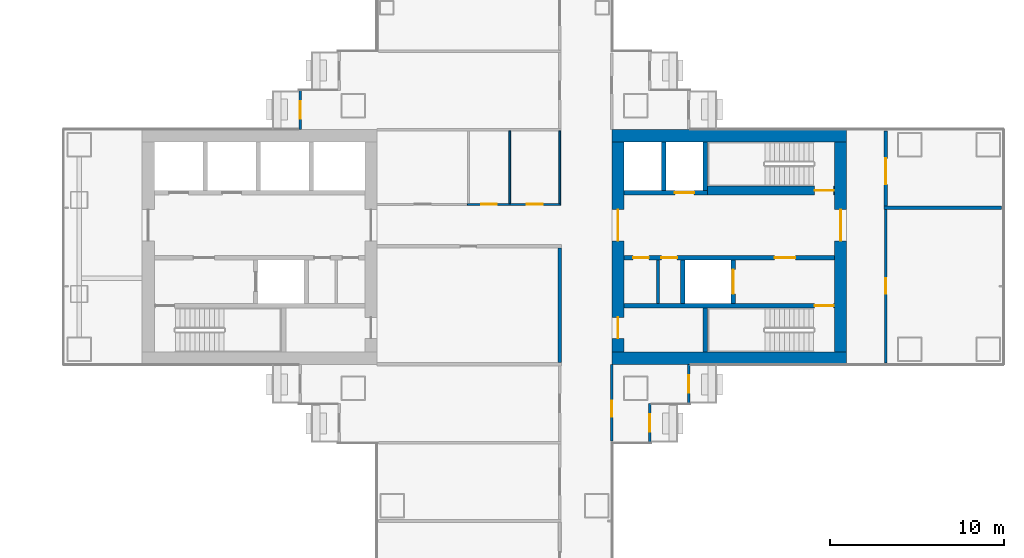
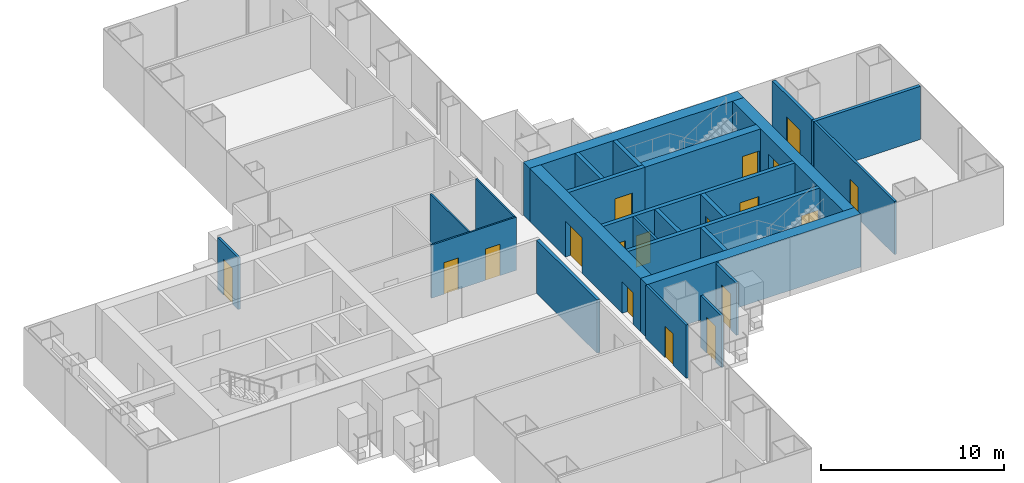
# One storey, part 16 of 21: 25 walls, 18 doors, 18 openings.
"""IFC4 building model written with IfcOpenShell, lengths in metres."""

from ifc_helpers import new_model, si_unit, direction, frame, frame_2d, origin, place, context, subcontext, project, spatial, rectangle, extrude, material, layer, layer_set, type_object, element, fill, save


model = new_model("IFC4")

# Units and contexts
model_context = context("Model", 3, precision=1e-05, world=origin(), true_north=direction((0.0, 1.0)))
body_context = subcontext(model_context, "Body", "Model", "MODEL_VIEW")
ifc_project = project(units=[si_unit("LENGTHUNIT", "METRE"), si_unit("AREAUNIT", "SQUARE_METRE"), si_unit("VOLUMEUNIT", "CUBIC_METRE"), si_unit("PLANEANGLEUNIT", "RADIAN"), si_unit("MASSUNIT", "GRAM", prefix="KILO")], contexts=[model_context])

# Site, building, storey
site_placement = place(None, origin())
site = spatial("IfcSite", under=ifc_project, at=site_placement, CompositionType="ELEMENT")
building_placement = place(site_placement, origin())
building = spatial("IfcBuilding", under=site, at=building_placement, Name="Shamsa Quay Exchange Towers", CompositionType="ELEMENT")
storey_placement = place(building_placement, frame((0.0, 0.0, 53.699951171875)))
storey = spatial("IfcBuildingStorey", under=building, at=storey_placement, Name="L11", CompositionType="ELEMENT", Elevation=53.699951171875)

# Wall, opening, door
ifc_material_1 = material(Name="Aluminium EN AW-6063 T6, black anodised, with black enamelled glass infill", Category="aluminium")
ifc_layer_1 = layer(ifc_material_1, 0.14990234375)
ifc_layer_set_1 = layer_set([ifc_layer_1], Name="BALCONY DOOR BAY WALL 150")
wall_type_1 = type_object("IfcWallType", Name="BALCONY DOOR BAY WALL 150", PredefinedType="SOLIDWALL", material=ifc_layer_set_1)
wall_1_placement = place(storey_placement, frame((22.574951171875, 6.742919921875, 0.0), z_axis=(0.0, 0.0, 1.0), x_axis=(0.0, 1.0, 0.0)))
wall_1 = element("IfcWall", 1, at=wall_1_placement, inside=storey, type_object=wall_type_1, Name="Door bay T2-PKEN L11", PredefinedType="SOLIDWALL", context=body_context, shape_type="SweptSolid", body=[
    extrude(rectangle(XDim=2.257080078125, YDim=0.14990234375, at=frame_2d((1.12841796875, 0.0))), origin(), (0.0, 0.0, 1.0), 3.449951171875),
])
opening_1_placement = place(wall_1_placement, frame((0.632080078125, 0.0, 0.0)))
opening_1 = element("IfcOpeningElement", 2, at=opening_1_placement, cuts=wall_1, Name="Opening XD066", PredefinedType="OPENING", context=body_context, shape_type="SweptSolid", body=[
    extrude(rectangle(XDim=1.0, YDim=2.39990234375, at=frame_2d((0.5, 1.199951171875))), frame((0.0, 0.0849609375, 0.0), z_axis=(0.0, -1.0, 0.0), x_axis=(1.0, 0.0, 0.0)), (0.0, 0.0, 1.0), 0.169921875),
])
ifc_material_2 = material(Name="Aluminium EN AW-6063 T6, black anodised, with laminated glass leaf", Category="aluminium")
door_type_1 = type_object("IfcDoorType", Name="BALCONY DOOR 1000x2400", OperationType="SINGLE_SWING_LEFT", PredefinedType="DOOR", material=ifc_material_2)
door_1_placement = place(opening_1_placement, origin())
door_1 = element("IfcDoor", 3, at=door_1_placement, inside=storey, type_object=door_type_1, Name="Balcony door T2-PKEN L11", OperationType="SINGLE_SWING_LEFT", OverallHeight=2.39990234375, OverallWidth=1.0, PredefinedType="DOOR", context=body_context, shape_type="SweptSolid", body=[
    extrude(rectangle(XDim=1.0, YDim=2.39990234375, at=frame_2d((0.5, 1.199951171875))), frame((0.0, 0.02490234375, 0.0), z_axis=(0.0, -1.0, 0.0), x_axis=(1.0, 0.0, 0.0)), (0.0, 0.0, 1.0), 0.050048828125),
])
fill(opening_1, door_1)

wall_2_placement = place(storey_placement, frame((42.675048828125, -9.0, 0.0), z_axis=(0.0, 0.0, 1.0), x_axis=(0.0, -1.0, 0.0)))
wall_2 = element("IfcWall", 4, at=wall_2_placement, inside=storey, type_object=wall_type_1, Name="Door bay T2-PKWS L11", PredefinedType="SOLIDWALL", context=body_context, shape_type="SweptSolid", body=[
    extrude(rectangle(XDim=2.25, YDim=0.14990234375, at=frame_2d((1.125, 0.0))), origin(), (0.0, 0.0, 1.0), 3.449951171875),
])
opening_2_placement = place(wall_2_placement, frame((0.625, 0.0, 0.0)))
opening_2 = element("IfcOpeningElement", 5, at=opening_2_placement, cuts=wall_2, Name="Opening XD071", PredefinedType="OPENING", context=body_context, shape_type="SweptSolid", body=[
    extrude(rectangle(XDim=1.0, YDim=2.39990234375, at=frame_2d((0.5, 1.199951171875))), frame((0.0, 0.0849609375, 0.0), z_axis=(0.0, -1.0, 0.0), x_axis=(1.0, 0.0, 0.0)), (0.0, 0.0, 1.0), 0.169921875),
])
door_2_placement = place(opening_2_placement, origin())
door_2 = element("IfcDoor", 6, at=door_2_placement, inside=storey, type_object=door_type_1, Name="Balcony door T2-PKWS L11", OperationType="SINGLE_SWING_LEFT", OverallHeight=2.39990234375, OverallWidth=1.0, PredefinedType="DOOR", context=body_context, shape_type="SweptSolid", body=[
    extrude(rectangle(XDim=1.0, YDim=2.39990234375, at=frame_2d((0.5, 1.199951171875))), frame((0.0, 0.02490234375, 0.0), z_axis=(0.0, -1.0, 0.0), x_axis=(1.0, 0.0, 0.0)), (0.0, 0.0, 1.0), 0.050048828125),
])
fill(opening_2, door_2)

wall_3_placement = place(storey_placement, frame((44.925048828125, -6.742919921875, 0.0), z_axis=(0.0, 0.0, 1.0), x_axis=(0.0, -1.0, 0.0)))
wall_3 = element("IfcWall", 7, at=wall_3_placement, inside=storey, type_object=wall_type_1, Name="Door bay T2-PKWS L11", PredefinedType="SOLIDWALL", context=body_context, shape_type="SweptSolid", body=[
    extrude(rectangle(XDim=2.257080078125, YDim=0.14990234375, at=frame_2d((1.12841796875, 0.0))), origin(), (0.0, 0.0, 1.0), 3.449951171875),
])
opening_3_placement = place(wall_3_placement, frame((0.632080078125, 0.0, 0.0)))
opening_3 = element("IfcOpeningElement", 8, at=opening_3_placement, cuts=wall_3, Name="Opening XD072", PredefinedType="OPENING", context=body_context, shape_type="SweptSolid", body=[
    extrude(rectangle(XDim=1.0, YDim=2.39990234375, at=frame_2d((0.5, 1.199951171875))), frame((0.0, 0.0849609375, 0.0), z_axis=(0.0, -1.0, 0.0), x_axis=(1.0, 0.0, 0.0)), (0.0, 0.0, 1.0), 0.169921875),
])
door_3_placement = place(opening_3_placement, origin())
door_3 = element("IfcDoor", 9, at=door_3_placement, inside=storey, type_object=door_type_1, Name="Balcony door T2-PKWS L11", OperationType="SINGLE_SWING_RIGHT", OverallHeight=2.39990234375, OverallWidth=1.0, PredefinedType="DOOR", context=body_context, shape_type="SweptSolid", body=[
    extrude(rectangle(XDim=1.0, YDim=2.39990234375, at=frame_2d((0.5, 1.199951171875))), frame((0.0, 0.02490234375, 0.0), z_axis=(0.0, -1.0, 0.0), x_axis=(1.0, 0.0, 0.0)), (0.0, 0.0, 1.0), 0.050048828125),
])
fill(opening_3, door_3)

# Walls
ifc_material_3 = material(Name="Concrete C80/95", Category="concrete")
ifc_layer_2 = layer(ifc_material_3, 0.699951171875)
ifc_layer_set_2 = layer_set([ifc_layer_2], Name="CORE WALL 700 C80/95")
wall_type_2 = type_object("IfcWallType", Name="CORE WALL 700 C80/95", PredefinedType="SHEAR", material=ifc_layer_set_2)
for number, where, z_axis, x_axis, name in (
    (10, (54.0, -6.39990234375, 0.0), (0.0, 0.0, 1.0), (-1.0, 0.0, 0.0), "Core wall T2B-R04-PS"),
    (11, (54.0, 6.39990234375, 0.0), (0.0, 0.0, 1.0), (-1.0, 0.0, 0.0), "Core wall T2B-R04-PN"),
):
    element("IfcWall", number, at=place(storey_placement, frame(where, z_axis=z_axis, x_axis=x_axis)), inside=storey, type_object=wall_type_2, Name=name, PredefinedType="SHEAR", context=body_context, shape_type="SweptSolid", body=[
        extrude(rectangle(XDim=13.5, YDim=0.699951171875, at=frame_2d((6.75, 0.0))), origin(), (0.0, 0.0, 1.0), 3.550048828125),
    ])

# Wall, opening, door
wall_4_placement = place(storey_placement, frame((53.64990234375, -6.050048828125, 0.0), z_axis=(0.0, 0.0, 1.0), x_axis=(0.0, 1.0, 0.0)))
wall_4 = element("IfcWall", 12, at=wall_4_placement, inside=storey, type_object=wall_type_2, Name="Core wall T2B-R04-PF", PredefinedType="SHEAR", context=body_context, shape_type="SweptSolid", body=[
    extrude(rectangle(XDim=12.10009765625, YDim=0.699951171875, at=frame_2d((6.050048828125, 0.0))), origin(), (0.0, 0.0, 1.0), 3.550048828125),
])
opening_4_placement = place(wall_4_placement, frame((6.39990234375, 0.0, 0.0)))
opening_4 = element("IfcOpeningElement", 13, at=opening_4_placement, cuts=wall_4, Name="Opening T2B-R04-LBD01", PredefinedType="OPENING", context=body_context, shape_type="SweptSolid", body=[
    extrude(rectangle(XDim=1.800048828125, YDim=2.39990234375, at=frame_2d((0.89990234375, 1.199951171875))), frame((0.0, 0.35986328125, 0.0), z_axis=(0.0, -1.0, 0.0), x_axis=(1.0, 0.0, 0.0)), (0.0, 0.0, 1.0), 0.719970703125),
])
ifc_material_4 = material(Name="Steel, fire rated", Category="steel")
door_type_2 = type_object("IfcDoorType", Name="LIFT LOBBY DOOR PAIR 1800", OperationType="DOUBLE_DOOR_SINGLE_SWING", PredefinedType="DOOR", material=ifc_material_4)
door_4_placement = place(opening_4_placement, origin())
door_4 = element("IfcDoor", 14, at=door_4_placement, inside=storey, type_object=door_type_2, Name="T2B-R04-LBD01", OperationType="DOUBLE_DOOR_SINGLE_SWING", OverallHeight=2.39990234375, OverallWidth=1.800048828125, PredefinedType="DOOR", context=body_context, shape_type="SweptSolid", body=[
    extrude(rectangle(XDim=1.800048828125, YDim=2.39990234375, at=frame_2d((0.89990234375, 1.199951171875))), frame((0.0, 0.02490234375, 0.0), z_axis=(0.0, -1.0, 0.0), x_axis=(1.0, 0.0, 0.0)), (0.0, 0.0, 1.0), 0.050048828125),
])
fill(opening_4, door_4)

# Wall, openings, doors
wall_5_placement = place(storey_placement, frame((40.85009765625, -6.050048828125, 0.0), z_axis=(0.0, 0.0, 1.0), x_axis=(0.0, 1.0, 0.0)))
wall_5 = element("IfcWall", 15, at=wall_5_placement, inside=storey, type_object=wall_type_2, Name="Core wall T2B-R04-PB", PredefinedType="SHEAR", context=body_context, shape_type="SweptSolid", body=[
    extrude(rectangle(XDim=12.10009765625, YDim=0.699951171875, at=frame_2d((6.050048828125, 0.0))), origin(), (0.0, 0.0, 1.0), 3.550048828125),
])
opening_5_placement = place(wall_5_placement, frame((0.800048828125, 0.0, 0.0)))
opening_5 = element("IfcOpeningElement", 16, at=opening_5_placement, cuts=wall_5, Name="Opening T2B-R04-RD02", PredefinedType="OPENING", context=body_context, shape_type="SweptSolid", body=[
    extrude(rectangle(XDim=1.199951171875, YDim=2.10009765625, at=frame_2d((0.60009765625, 1.050048828125))), frame((0.0, 0.35986328125, 0.0), z_axis=(0.0, -1.0, 0.0), x_axis=(1.0, 0.0, 0.0)), (0.0, 0.0, 1.0), 0.719970703125),
])
opening_6_placement = place(wall_5_placement, frame((6.39990234375, 0.0, 0.0)))
opening_6 = element("IfcOpeningElement", 17, at=opening_6_placement, cuts=wall_5, Name="Opening T2B-R04-LBD03", PredefinedType="OPENING", context=body_context, shape_type="SweptSolid", body=[
    extrude(rectangle(XDim=1.800048828125, YDim=2.39990234375, at=frame_2d((0.89990234375, 1.199951171875))), frame((0.0, 0.35986328125, 0.0), z_axis=(0.0, -1.0, 0.0), x_axis=(1.0, 0.0, 0.0)), (0.0, 0.0, 1.0), 0.719970703125),
])
door_5_placement = place(opening_6_placement, origin())
door_5 = element("IfcDoor", 18, at=door_5_placement, inside=storey, type_object=door_type_2, Name="T2B-R04-LBD03", OperationType="DOUBLE_DOOR_SINGLE_SWING", OverallHeight=2.39990234375, OverallWidth=1.800048828125, PredefinedType="DOOR", context=body_context, shape_type="SweptSolid", body=[
    extrude(rectangle(XDim=1.800048828125, YDim=2.39990234375, at=frame_2d((0.89990234375, 1.199951171875))), frame((0.0, 0.02490234375, 0.0), z_axis=(0.0, -1.0, 0.0), x_axis=(1.0, 0.0, 0.0)), (0.0, 0.0, 1.0), 0.050048828125),
])
fill(opening_6, door_5)
door_type_3 = type_object("IfcDoorType", Name="RISER ACCESS DOOR 1200", OperationType="SINGLE_SWING_LEFT", PredefinedType="DOOR", material=ifc_material_4)
door_6_placement = place(opening_5_placement, origin())
door_6 = element("IfcDoor", 19, at=door_6_placement, inside=storey, type_object=door_type_3, Name="T2B-R04-RD02", OperationType="SINGLE_SWING_LEFT", OverallHeight=2.10009765625, OverallWidth=1.199951171875, PredefinedType="DOOR", context=body_context, shape_type="SweptSolid", body=[
    extrude(rectangle(XDim=1.199951171875, YDim=2.10009765625, at=frame_2d((0.60009765625, 1.050048828125))), frame((0.0, 0.02490234375, 0.0), z_axis=(0.0, -1.0, 0.0), x_axis=(1.0, 0.0, 0.0)), (0.0, 0.0, 1.0), 0.050048828125),
])
fill(opening_5, door_6)

# Walls
ifc_material_5 = material(Name="Gypsum board on steel studs, EI 60", Category="steel")
ifc_layer_3 = layer(ifc_material_5, 0.14990234375)
ifc_layer_set_3 = layer_set([ifc_layer_3], Name="FIRE PARTITION 150")
wall_type_3 = type_object("IfcWallType", Name="FIRE PARTITION 150", PredefinedType="PARTITIONING", material=ifc_layer_set_3)
wall_6_placement = place(storey_placement, frame((43.14990234375, -3.25, 0.0), z_axis=(0.0, 0.0, 1.0), x_axis=(0.0, 1.0, 0.0)))
element("IfcWall", 20, at=wall_6_placement, inside=storey, type_object=wall_type_3, Name="Partition T2B-R04-EC0", PredefinedType="PARTITIONING", context=body_context, shape_type="SweptSolid", body=[
    extrude(rectangle(XDim=2.5, YDim=0.14990234375, at=frame_2d((1.25, 0.0))), origin(), (0.0, 0.0, 1.0), 3.550048828125),
])
ifc_material_6 = material(Name="Gypsum board partition on metal studs")
ifc_layer_4 = layer(ifc_material_6, 0.10009765625)
ifc_layer_set_4 = layer_set([ifc_layer_4], Name="Partition 100 mm NOT RATED")
wall_type_4 = type_object("IfcWallType", Name="Partition 100 mm NOT RATED", PredefinedType="PARTITIONING", material=ifc_layer_set_4)
wall_7_placement = place(storey_placement, frame((37.5, 2.500244140625, 0.0), z_axis=(0.0, 0.0, 1.0), x_axis=(0.0, 1.0, 0.0)))
element("IfcWall", 21, at=wall_7_placement, inside=storey, type_object=wall_type_4, Name="Partition T2-R04-W08", PredefinedType="PARTITIONING", context=body_context, shape_type="SweptSolid", body=[
    extrude(rectangle(XDim=4.1748046875, YDim=0.10009765625, at=frame_2d((2.08740234375, 0.0))), origin(), (0.0, 0.0, 1.0), 3.550048828125),
])

# Wall, openings, doors
wall_8_placement = place(storey_placement, frame((32.1875, 2.4501953125, 0.0)))
wall_8 = element("IfcWall", 22, at=wall_8_placement, inside=storey, type_object=wall_type_4, Name="Partition T2-R04-W09", PredefinedType="PARTITIONING", context=body_context, shape_type="SweptSolid", body=[
    extrude(rectangle(XDim=5.362548828125, YDim=0.10009765625, at=frame_2d((2.68115234375, 0.0))), origin(), (0.0, 0.0, 1.0), 3.550048828125),
])
opening_7_placement = place(wall_8_placement, frame((3.425048828125, 0.0, 0.0)))
opening_7 = element("IfcOpeningElement", 23, at=opening_7_placement, cuts=wall_8, Name="Opening T2-R04-D09", PredefinedType="OPENING", context=body_context, shape_type="SweptSolid", body=[
    extrude(rectangle(XDim=0.89990234375, YDim=2.10009765625, at=frame_2d((0.449951171875, 1.050048828125))), frame((0.0, 0.06005859375, 0.0), z_axis=(0.0, -1.0, 0.0), x_axis=(1.0, 0.0, 0.0)), (0.0, 0.0, 1.0), 0.1201171875),
])
opening_8_placement = place(wall_8_placement, frame((0.800048828125, 0.0, 0.0)))
opening_8 = element("IfcOpeningElement", 24, at=opening_8_placement, cuts=wall_8, Name="Opening T2-R04-D10", PredefinedType="OPENING", context=body_context, shape_type="SweptSolid", body=[
    extrude(rectangle(XDim=0.89990234375, YDim=2.10009765625, at=frame_2d((0.449951171875, 1.050048828125))), frame((0.0, 0.06005859375, 0.0), z_axis=(0.0, -1.0, 0.0), x_axis=(1.0, 0.0, 0.0)), (0.0, 0.0, 1.0), 0.1201171875),
])
ifc_material_7 = material(Name="Timber door leaf in a metal frame", Category="wood")
door_type_4 = type_object("IfcDoorType", Name="Door 900x2100 NOT RATED", OperationType="NOTDEFINED", PredefinedType="DOOR", material=ifc_material_7)
door_7_placement = place(opening_7_placement, origin())
door_7 = element("IfcDoor", 25, at=door_7_placement, inside=storey, type_object=door_type_4, Name="Door T2-R04-D09", OperationType="SINGLE_SWING_RIGHT", OverallHeight=2.10009765625, OverallWidth=0.89990234375, PredefinedType="DOOR", context=body_context, shape_type="SweptSolid", body=[
    extrude(rectangle(XDim=0.89990234375, YDim=2.10009765625, at=frame_2d((0.449951171875, 1.050048828125))), frame((0.0, 0.02490234375, 0.0), z_axis=(0.0, -1.0, 0.0), x_axis=(1.0, 0.0, 0.0)), (0.0, 0.0, 1.0), 0.050048828125),
])
fill(opening_7, door_7)
door_8_placement = place(opening_8_placement, origin())
door_8 = element("IfcDoor", 26, at=door_8_placement, inside=storey, type_object=door_type_4, Name="Door T2-R04-D10", OperationType="SINGLE_SWING_RIGHT", OverallHeight=2.10009765625, OverallWidth=0.89990234375, PredefinedType="DOOR", context=body_context, shape_type="SweptSolid", body=[
    extrude(rectangle(XDim=0.89990234375, YDim=2.10009765625, at=frame_2d((0.449951171875, 1.050048828125))), frame((0.0, 0.02490234375, 0.0), z_axis=(0.0, -1.0, 0.0), x_axis=(1.0, 0.0, 0.0)), (0.0, 0.0, 1.0), 0.050048828125),
])
fill(opening_8, door_8)

# Wall
wall_9_placement = place(storey_placement, frame((34.625, 6.675048828125, 0.0), z_axis=(0.0, 0.0, 1.0), x_axis=(0.0, -1.0, 0.0)))
element("IfcWall", 27, at=wall_9_placement, inside=storey, type_object=wall_type_4, Name="Partition T2-R04-W21", PredefinedType="PARTITIONING", context=body_context, shape_type="SweptSolid", body=[
    extrude(rectangle(XDim=4.1748046875, YDim=0.10009765625, at=frame_2d((2.08740234375, 0.0))), origin(), (0.0, 0.0, 1.0), 3.550048828125),
])

# Wall, opening, door
ifc_layer_5 = layer(ifc_material_6, 0.14990234375)
ifc_layer_set_5 = layer_set([ifc_layer_5], Name="Partition 150 mm EI 60")
wall_type_5 = type_object("IfcWallType", Name="Partition 150 mm EI 60", PredefinedType="PARTITIONING", material=ifc_layer_set_5)
wall_10_placement = place(storey_placement, frame((40.5, -6.75, 0.0), z_axis=(0.0, 0.0, 1.0), x_axis=(0.0, -1.0, 0.0)))
wall_10 = element("IfcWall", 28, at=wall_10_placement, inside=storey, type_object=wall_type_5, Name="Partition T2-R04-W13", PredefinedType="PARTITIONING", context=body_context, shape_type="SweptSolid", body=[
    extrude(rectangle(XDim=4.405029296875, YDim=0.14990234375, at=frame_2d((2.20263671875, 0.0))), origin(), (0.0, 0.0, 1.0), 3.550048828125),
])
opening_9_placement = place(wall_10_placement, frame((2.10009765625, 0.0, 0.0)))
opening_9 = element("IfcOpeningElement", 29, at=opening_9_placement, cuts=wall_10, Name="Opening T2-R04-D03", PredefinedType="OPENING", context=body_context, shape_type="SweptSolid", body=[
    extrude(rectangle(XDim=0.89990234375, YDim=2.10009765625, at=frame_2d((0.449951171875, 1.050048828125))), frame((0.0, 0.0849609375, 0.0), z_axis=(0.0, -1.0, 0.0), x_axis=(1.0, 0.0, 0.0)), (0.0, 0.0, 1.0), 0.169921875),
])
door_type_5 = type_object("IfcDoorType", Name="Door 900x2100 FD30S", OperationType="NOTDEFINED", PredefinedType="DOOR", material=ifc_material_7)
door_9_placement = place(opening_9_placement, origin())
door_9 = element("IfcDoor", 30, at=door_9_placement, inside=storey, type_object=door_type_5, Name="Door T2-R04-D03", OperationType="SINGLE_SWING_RIGHT", OverallHeight=2.10009765625, OverallWidth=0.89990234375, PredefinedType="DOOR", context=body_context, shape_type="SweptSolid", body=[
    extrude(rectangle(XDim=0.89990234375, YDim=2.10009765625, at=frame_2d((0.449951171875, 1.050048828125))), frame((0.0, 0.02490234375, 0.0), z_axis=(0.0, -1.0, 0.0), x_axis=(1.0, 0.0, 0.0)), (0.0, 0.0, 1.0), 0.050048828125),
])
fill(opening_9, door_9)

wall_11_placement = place(storey_placement, frame((56.25, 2.14990234375, 0.0), z_axis=(0.0, 0.0, 1.0), x_axis=(0.0, -1.0, 0.0)))
wall_11 = element("IfcWall", 31, at=wall_11_placement, inside=storey, type_object=wall_type_5, Name="Partition T2-R04-W15", PredefinedType="PARTITIONING", context=body_context, shape_type="SweptSolid", body=[
    extrude(rectangle(XDim=8.804931640625, YDim=0.14990234375, at=frame_2d((4.40234375, 0.0))), origin(), (0.0, 0.0, 1.0), 3.550048828125),
])
opening_10_placement = place(wall_11_placement, frame((3.949951171875, 0.0, 0.0)))
opening_10 = element("IfcOpeningElement", 32, at=opening_10_placement, cuts=wall_11, Name="Opening T2-R04-D01", PredefinedType="OPENING", context=body_context, shape_type="SweptSolid", body=[
    extrude(rectangle(XDim=0.89990234375, YDim=2.10009765625, at=frame_2d((0.449951171875, 1.050048828125))), frame((0.0, 0.0849609375, 0.0), z_axis=(0.0, -1.0, 0.0), x_axis=(1.0, 0.0, 0.0)), (0.0, 0.0, 1.0), 0.169921875),
])
door_10_placement = place(opening_10_placement, origin())
door_10 = element("IfcDoor", 33, at=door_10_placement, inside=storey, type_object=door_type_5, Name="Door T2-R04-D01", OperationType="SINGLE_SWING_LEFT", OverallHeight=2.10009765625, OverallWidth=0.89990234375, PredefinedType="DOOR", context=body_context, shape_type="SweptSolid", body=[
    extrude(rectangle(XDim=0.89990234375, YDim=2.10009765625, at=frame_2d((0.449951171875, 1.050048828125))), frame((0.0, 0.02490234375, 0.0), z_axis=(0.0, -1.0, 0.0), x_axis=(1.0, 0.0, 0.0)), (0.0, 0.0, 1.0), 0.050048828125),
])
fill(opening_10, door_10)

# Wall
ifc_layer_6 = layer(ifc_material_6, 0.199951171875)
ifc_layer_set_6 = layer_set([ifc_layer_6], Name="Partition 200 mm EI 120")
wall_type_6 = type_object("IfcWallType", Name="Partition 200 mm EI 120", PredefinedType="PARTITIONING", material=ifc_layer_set_6)
wall_12_placement = place(storey_placement, frame((37.5, -6.64990234375, 0.0), z_axis=(0.0, 0.0, 1.0), x_axis=(0.0, 1.0, 0.0)))
element("IfcWall", 34, at=wall_12_placement, inside=storey, type_object=wall_type_6, Name="Partition T2-R04-W12", PredefinedType="PARTITIONING", context=body_context, shape_type="SweptSolid", body=[
    extrude(rectangle(XDim=6.599609375, YDim=0.199951171875, at=frame_2d((3.2998046875, 0.0))), origin(), (0.0, 0.0, 1.0), 3.550048828125),
])

# Wall, opening, door
ifc_layer_7 = layer(ifc_material_6, 0.199951171875)
ifc_layer_set_7 = layer_set([ifc_layer_7], Name="Partition 200 mm EI 90")
wall_type_7 = type_object("IfcWallType", Name="Partition 200 mm EI 90", PredefinedType="PARTITIONING", material=ifc_layer_set_7)
wall_13_placement = place(storey_placement, frame((56.25, 6.655029296875, 0.0), z_axis=(0.0, 0.0, 1.0), x_axis=(0.0, -1.0, 0.0)))
wall_13 = element("IfcWall", 35, at=wall_13_placement, inside=storey, type_object=wall_type_7, Name="Partition T2-R04-W16", PredefinedType="PARTITIONING", context=body_context, shape_type="SweptSolid", body=[
    extrude(rectangle(XDim=4.304931640625, YDim=0.199951171875, at=frame_2d((2.15234375, 0.0))), origin(), (0.0, 0.0, 1.0), 3.550048828125),
])
opening_11_placement = place(wall_13_placement, frame((1.554931640625, 0.0, 0.0)))
opening_11 = element("IfcOpeningElement", 36, at=opening_11_placement, cuts=wall_13, Name="Opening T2-R04-D02", PredefinedType="OPENING", context=body_context, shape_type="SweptSolid", body=[
    extrude(rectangle(XDim=1.5, YDim=2.10009765625, at=frame_2d((0.75, 1.050048828125))), frame((0.0, 0.10986328125, 0.0), z_axis=(0.0, -1.0, 0.0), x_axis=(1.0, 0.0, 0.0)), (0.0, 0.0, 1.0), 0.219970703125),
])
door_type_6 = type_object("IfcDoorType", Name="Door 1500x2100 FD30S pair", OperationType="NOTDEFINED", PredefinedType="DOOR", material=ifc_material_7)
door_11_placement = place(opening_11_placement, origin())
door_11 = element("IfcDoor", 37, at=door_11_placement, inside=storey, type_object=door_type_6, Name="Door T2-R04-D02", OperationType="DOUBLE_DOOR_SINGLE_SWING", OverallHeight=2.10009765625, OverallWidth=1.5, PredefinedType="DOOR", context=body_context, shape_type="SweptSolid", body=[
    extrude(rectangle(XDim=1.5, YDim=2.10009765625, at=frame_2d((0.75, 1.050048828125))), frame((0.0, 0.02490234375, 0.0), z_axis=(0.0, -1.0, 0.0), x_axis=(1.0, 0.0, 0.0)), (0.0, 0.0, 1.0), 0.050048828125),
])
fill(opening_11, door_11)

# Wall
wall_14_placement = place(storey_placement, frame((62.905029296875, 2.25, 0.0), z_axis=(0.0, 0.0, 1.0), x_axis=(-1.0, 0.0, 0.0)))
element("IfcWall", 38, at=wall_14_placement, inside=storey, type_object=wall_type_7, Name="Partition T2-R04-W27", PredefinedType="PARTITIONING", context=body_context, shape_type="SweptSolid", body=[
    extrude(rectangle(XDim=6.755126953125, YDim=0.199951171875, at=frame_2d((3.37744140625, 0.0))), origin(), (0.0, 0.0, 1.0), 3.550048828125),
])

# Wall, opening, door
ifc_material_8 = material(Name="Concrete C50/60", Category="concrete")
ifc_layer_8 = layer(ifc_material_8, 0.25)
ifc_layer_set_8 = layer_set([ifc_layer_8], Name="SHAFT WALL 250 C50/60")
wall_type_8 = type_object("IfcWallType", Name="SHAFT WALL 250 C50/60", PredefinedType="SHEAR", material=ifc_layer_set_8)
wall_15_placement = place(storey_placement, frame((53.300048828125, -3.375, 0.0), z_axis=(0.0, 0.0, 1.0), x_axis=(-1.0, 0.0, 0.0)))
wall_15 = element("IfcWall", 39, at=wall_15_placement, inside=storey, type_object=wall_type_8, Name="Shaft wall T2B-R04-STL", PredefinedType="SHEAR", context=body_context, shape_type="SweptSolid", body=[
    extrude(rectangle(XDim=12.10009765625, YDim=0.25, at=frame_2d((6.050048828125, 0.0))), origin(), (0.0, 0.0, 1.0), 3.550048828125),
])
opening_12_placement = place(wall_15_placement, frame((0.050048828125, 0.0, 0.0)))
opening_12 = element("IfcOpeningElement", 40, at=opening_12_placement, cuts=wall_15, Name="Opening T2B-R04-SD04", PredefinedType="OPENING", context=body_context, shape_type="SweptSolid", body=[
    extrude(rectangle(XDim=1.10009765625, YDim=2.10009765625, at=frame_2d((0.550048828125, 1.050048828125))), frame((0.0, 0.135009765625, 0.0), z_axis=(0.0, -1.0, 0.0), x_axis=(1.0, 0.0, 0.0)), (0.0, 0.0, 1.0), 0.27001953125),
])
door_type_7 = type_object("IfcDoorType", Name="STAIR DOOR 1100", OperationType="SINGLE_SWING_LEFT", PredefinedType="DOOR", material=ifc_material_4)
door_12_placement = place(opening_12_placement, origin())
door_12 = element("IfcDoor", 41, at=door_12_placement, inside=storey, type_object=door_type_7, Name="T2B-R04-SD04", OperationType="SINGLE_SWING_LEFT", OverallHeight=2.10009765625, OverallWidth=1.10009765625, PredefinedType="DOOR", context=body_context, shape_type="SweptSolid", body=[
    extrude(rectangle(XDim=1.10009765625, YDim=2.10009765625, at=frame_2d((0.550048828125, 1.050048828125))), frame((0.0, 0.02490234375, 0.0), z_axis=(0.0, -1.0, 0.0), x_axis=(1.0, 0.0, 0.0)), (0.0, 0.0, 1.0), 0.050048828125),
])
fill(opening_12, door_12)

# Wall
wall_16_placement = place(storey_placement, frame((45.875, -6.050048828125, 0.0), z_axis=(0.0, 0.0, 1.0), x_axis=(0.0, 1.0, 0.0)))
element("IfcWall", 42, at=wall_16_placement, inside=storey, type_object=wall_type_8, Name="Shaft wall T2B-R04-STF", PredefinedType="SHEAR", context=body_context, shape_type="SweptSolid", body=[
    extrude(rectangle(XDim=2.550048828125, YDim=0.25, at=frame_2d((1.27490234375, 0.0))), origin(), (0.0, 0.0, 1.0), 3.550048828125),
])

# Wall, openings, doors
wall_17_placement = place(storey_placement, frame((53.300048828125, -0.625, 0.0), z_axis=(0.0, 0.0, 1.0), x_axis=(-1.0, 0.0, 0.0)))
wall_17 = element("IfcWall", 43, at=wall_17_placement, inside=storey, type_object=wall_type_8, Name="Shaft wall T2B-R04-B", PredefinedType="SHEAR", context=body_context, shape_type="SweptSolid", body=[
    extrude(rectangle(XDim=12.10009765625, YDim=0.25, at=frame_2d((6.050048828125, 0.0))), origin(), (0.0, 0.0, 1.0), 3.550048828125),
])
opening_13_placement = place(wall_17_placement, frame((2.25, 0.0, 0.0)))
opening_13 = element("IfcOpeningElement", 44, at=opening_13_placement, cuts=wall_17, Name="Opening T2B-R04-FD05", PredefinedType="OPENING", context=body_context, shape_type="SweptSolid", body=[
    extrude(rectangle(XDim=1.199951171875, YDim=2.10009765625, at=frame_2d((0.60009765625, 1.050048828125))), frame((0.0, 0.135009765625, 0.0), z_axis=(0.0, -1.0, 0.0), x_axis=(1.0, 0.0, 0.0)), (0.0, 0.0, 1.0), 0.27001953125),
])
opening_14_placement = place(wall_17_placement, frame((9.050048828125, 0.0, 0.0)))
opening_14 = element("IfcOpeningElement", 45, at=opening_14_placement, cuts=wall_17, Name="Opening T2B-R04-SV06", PredefinedType="OPENING", context=body_context, shape_type="SweptSolid", body=[
    extrude(rectangle(XDim=0.89990234375, YDim=2.10009765625, at=frame_2d((0.449951171875, 1.050048828125))), frame((0.0, 0.135009765625, 0.0), z_axis=(0.0, -1.0, 0.0), x_axis=(1.0, 0.0, 0.0)), (0.0, 0.0, 1.0), 0.27001953125),
])
opening_15_placement = place(wall_17_placement, frame((10.675048828125, 0.0, 0.0)))
opening_15 = element("IfcOpeningElement", 46, at=opening_15_placement, cuts=wall_17, Name="Opening T2B-R04-SV07", PredefinedType="OPENING", context=body_context, shape_type="SweptSolid", body=[
    extrude(rectangle(XDim=0.89990234375, YDim=2.10009765625, at=frame_2d((0.449951171875, 1.050048828125))), frame((0.0, 0.135009765625, 0.0), z_axis=(0.0, -1.0, 0.0), x_axis=(1.0, 0.0, 0.0)), (0.0, 0.0, 1.0), 0.27001953125),
])
door_type_8 = type_object("IfcDoorType", Name="FIRE SERVICE LOBBY DOOR 1200", OperationType="SINGLE_SWING_LEFT", PredefinedType="DOOR", material=ifc_material_4)
door_13_placement = place(opening_13_placement, origin())
door_13 = element("IfcDoor", 47, at=door_13_placement, inside=storey, type_object=door_type_8, Name="T2B-R04-FD05", OperationType="SINGLE_SWING_LEFT", OverallHeight=2.10009765625, OverallWidth=1.199951171875, PredefinedType="DOOR", context=body_context, shape_type="SweptSolid", body=[
    extrude(rectangle(XDim=1.199951171875, YDim=2.10009765625, at=frame_2d((0.60009765625, 1.050048828125))), frame((0.0, 0.02490234375, 0.0), z_axis=(0.0, -1.0, 0.0), x_axis=(1.0, 0.0, 0.0)), (0.0, 0.0, 1.0), 0.050048828125),
])
fill(opening_13, door_13)
door_type_9 = type_object("IfcDoorType", Name="SERVICE ROOM DOOR 900", OperationType="SINGLE_SWING_LEFT", PredefinedType="DOOR", material=ifc_material_4)
door_14_placement = place(opening_14_placement, origin())
door_14 = element("IfcDoor", 48, at=door_14_placement, inside=storey, type_object=door_type_9, Name="T2B-R04-SV06", OperationType="SINGLE_SWING_RIGHT", OverallHeight=2.10009765625, OverallWidth=0.89990234375, PredefinedType="DOOR", context=body_context, shape_type="SweptSolid", body=[
    extrude(rectangle(XDim=0.89990234375, YDim=2.10009765625, at=frame_2d((0.449951171875, 1.050048828125))), frame((0.0, 0.02490234375, 0.0), z_axis=(0.0, -1.0, 0.0), x_axis=(1.0, 0.0, 0.0)), (0.0, 0.0, 1.0), 0.050048828125),
])
fill(opening_14, door_14)
door_15_placement = place(opening_15_placement, origin())
door_15 = element("IfcDoor", 49, at=door_15_placement, inside=storey, type_object=door_type_9, Name="T2B-R04-SV07", OperationType="SINGLE_SWING_RIGHT", OverallHeight=2.10009765625, OverallWidth=0.89990234375, PredefinedType="DOOR", context=body_context, shape_type="SweptSolid", body=[
    extrude(rectangle(XDim=0.89990234375, YDim=2.10009765625, at=frame_2d((0.449951171875, 1.050048828125))), frame((0.0, 0.02490234375, 0.0), z_axis=(0.0, -1.0, 0.0), x_axis=(1.0, 0.0, 0.0)), (0.0, 0.0, 1.0), 0.050048828125),
])
fill(opening_15, door_15)

# Wall, opening, door
wall_18_placement = place(storey_placement, frame((47.47509765625, -3.25, 0.0), z_axis=(0.0, 0.0, 1.0), x_axis=(0.0, 1.0, 0.0)))
wall_18 = element("IfcWall", 50, at=wall_18_placement, inside=storey, type_object=wall_type_8, Name="Shaft wall T2B-R04-FFF", PredefinedType="SHEAR", context=body_context, shape_type="SweptSolid", body=[
    extrude(rectangle(XDim=2.5, YDim=0.25, at=frame_2d((1.25, 0.0))), origin(), (0.0, 0.0, 1.0), 3.550048828125),
])
opening_16_placement = place(wall_18_placement, frame((0.550048828125, 0.0, 0.0)))
opening_16 = element("IfcOpeningElement", 51, at=opening_16_placement, cuts=wall_18, Name="Opening T2B-R04-LDG08", PredefinedType="OPENING", context=body_context, shape_type="SweptSolid", body=[
    extrude(rectangle(XDim=1.39990234375, YDim=2.39990234375, at=frame_2d((0.699951171875, 1.199951171875))), frame((0.0, 0.135009765625, 0.0), z_axis=(0.0, -1.0, 0.0), x_axis=(1.0, 0.0, 0.0)), (0.0, 0.0, 1.0), 0.27001953125),
])
door_type_10 = type_object("IfcDoorType", Name="GOODS LIFT LANDING DOOR 1400", OperationType="SLIDING_TO_LEFT", PredefinedType="DOOR", material=ifc_material_4)
door_16_placement = place(opening_16_placement, origin())
door_16 = element("IfcDoor", 52, at=door_16_placement, inside=storey, type_object=door_type_10, Name="T2B-R04-LDG08", OperationType="SLIDING_TO_LEFT", OverallHeight=2.39990234375, OverallWidth=1.39990234375, PredefinedType="DOOR", context=body_context, shape_type="SweptSolid", body=[
    extrude(rectangle(XDim=1.39990234375, YDim=2.39990234375, at=frame_2d((0.699951171875, 1.199951171875))), frame((0.0, 0.02490234375, 0.0), z_axis=(0.0, -1.0, 0.0), x_axis=(1.0, 0.0, 0.0)), (0.0, 0.0, 1.0), 0.050048828125),
])
fill(opening_16, door_16)

# Wall
wall_19_placement = place(storey_placement, frame((44.574951171875, -3.25, 0.0), z_axis=(0.0, 0.0, 1.0), x_axis=(0.0, 1.0, 0.0)))
element("IfcWall", 53, at=wall_19_placement, inside=storey, type_object=wall_type_8, Name="Shaft wall T2B-R04-FFB", PredefinedType="SHEAR", context=body_context, shape_type="SweptSolid", body=[
    extrude(rectangle(XDim=2.5, YDim=0.25, at=frame_2d((1.25, 0.0))), origin(), (0.0, 0.0, 1.0), 3.550048828125),
])

# Wall, opening, door
wall_20_placement = place(storey_placement, frame((46.0, 3.125, 0.0), z_axis=(0.0, 0.0, 1.0), x_axis=(-1.0, 0.0, 0.0)))
wall_20 = element("IfcWall", 54, at=wall_20_placement, inside=storey, type_object=wall_type_8, Name="Shaft wall T2B-R04-N2", PredefinedType="SHEAR", context=body_context, shape_type="SweptSolid", body=[
    extrude(rectangle(XDim=4.800048828125, YDim=0.25, at=frame_2d((2.39990234375, 0.0))), origin(), (0.0, 0.0, 1.0), 3.550048828125),
])
opening_17_placement = place(wall_20_placement, frame((0.77490234375, 0.0, 0.0)))
opening_17 = element("IfcOpeningElement", 55, at=opening_17_placement, cuts=wall_20, Name="Opening T2B-R04-LD10", PredefinedType="OPENING", context=body_context, shape_type="SweptSolid", body=[
    extrude(rectangle(XDim=1.10009765625, YDim=2.10009765625, at=frame_2d((0.550048828125, 1.050048828125))), frame((0.0, 0.135009765625, 0.0), z_axis=(0.0, -1.0, 0.0), x_axis=(1.0, 0.0, 0.0)), (0.0, 0.0, 1.0), 0.27001953125),
])
door_type_11 = type_object("IfcDoorType", Name="LANDING DOOR 1100", OperationType="SLIDING_TO_LEFT", PredefinedType="DOOR", material=ifc_material_4)
door_17_placement = place(opening_17_placement, origin())
door_17 = element("IfcDoor", 56, at=door_17_placement, inside=storey, type_object=door_type_11, Name="T2B-R04-LD10", OperationType="SLIDING_TO_LEFT", OverallHeight=2.10009765625, OverallWidth=1.10009765625, PredefinedType="DOOR", context=body_context, shape_type="SweptSolid", body=[
    extrude(rectangle(XDim=1.10009765625, YDim=2.10009765625, at=frame_2d((0.550048828125, 1.050048828125))), frame((0.0, 0.02490234375, 0.0), z_axis=(0.0, -1.0, 0.0), x_axis=(1.0, 0.0, 0.0)), (0.0, 0.0, 1.0), 0.050048828125),
])
fill(opening_17, door_17)

# Walls
for number, where, z_axis, x_axis, name in (
    (57, (45.875, 3.25, 0.0), (0.0, 0.0, 1.0), (0.0, 1.0, 0.0), "Shaft wall T2B-R04-STF2"),
    (58, (43.47509765625, 3.25, 0.0), (0.0, 0.0, 1.0), (0.0, 1.0, 0.0), "Shaft wall T2B-R04-D0"),
):
    element("IfcWall", number, at=place(storey_placement, frame(where, z_axis=z_axis, x_axis=x_axis)), inside=storey, type_object=wall_type_8, Name=name, PredefinedType="SHEAR", context=body_context, shape_type="SweptSolid", body=[
        extrude(rectangle(XDim=2.800048828125, YDim=0.25, at=frame_2d((1.39990234375, 0.0))), origin(), (0.0, 0.0, 1.0), 3.550048828125),
    ])

# Wall, opening, door
ifc_layer_9 = layer(ifc_material_8, 0.5)
ifc_layer_set_9 = layer_set([ifc_layer_9], Name="SHAFT WALL 500 C50/60")
wall_type_9 = type_object("IfcWallType", Name="SHAFT WALL 500 C50/60", PredefinedType="SHEAR", material=ifc_layer_set_9)
wall_21_placement = place(storey_placement, frame((46.0, 3.25, 0.0)))
wall_21 = element("IfcWall", 59, at=wall_21_placement, inside=storey, type_object=wall_type_9, Name="Shaft wall T2B-R04-N", PredefinedType="SHEAR", context=body_context, shape_type="SweptSolid", body=[
    extrude(rectangle(XDim=7.300048828125, YDim=0.5, at=frame_2d((3.64990234375, 0.0))), origin(), (0.0, 0.0, 1.0), 3.550048828125),
])
opening_18_placement = place(wall_21_placement, frame((6.14990234375, 0.0, 0.0)))
opening_18 = element("IfcOpeningElement", 60, at=opening_18_placement, cuts=wall_21, Name="Opening T2B-R04-SD09", PredefinedType="OPENING", context=body_context, shape_type="SweptSolid", body=[
    extrude(rectangle(XDim=1.10009765625, YDim=2.10009765625, at=frame_2d((0.550048828125, 1.050048828125))), frame((0.0, 0.260009765625, 0.0), z_axis=(0.0, -1.0, 0.0), x_axis=(1.0, 0.0, 0.0)), (0.0, 0.0, 1.0), 0.52001953125),
])
door_18_placement = place(opening_18_placement, origin())
door_18 = element("IfcDoor", 61, at=door_18_placement, inside=storey, type_object=door_type_7, Name="T2B-R04-SD09", OperationType="SINGLE_SWING_RIGHT", OverallHeight=2.10009765625, OverallWidth=1.10009765625, PredefinedType="DOOR", context=body_context, shape_type="SweptSolid", body=[
    extrude(rectangle(XDim=1.10009765625, YDim=2.10009765625, at=frame_2d((0.550048828125, 1.050048828125))), frame((0.0, 0.02490234375, 0.0), z_axis=(0.0, -1.0, 0.0), x_axis=(1.0, 0.0, 0.0)), (0.0, 0.0, 1.0), 0.050048828125),
])
fill(opening_18, door_18)

save(model, "model.ifc")
